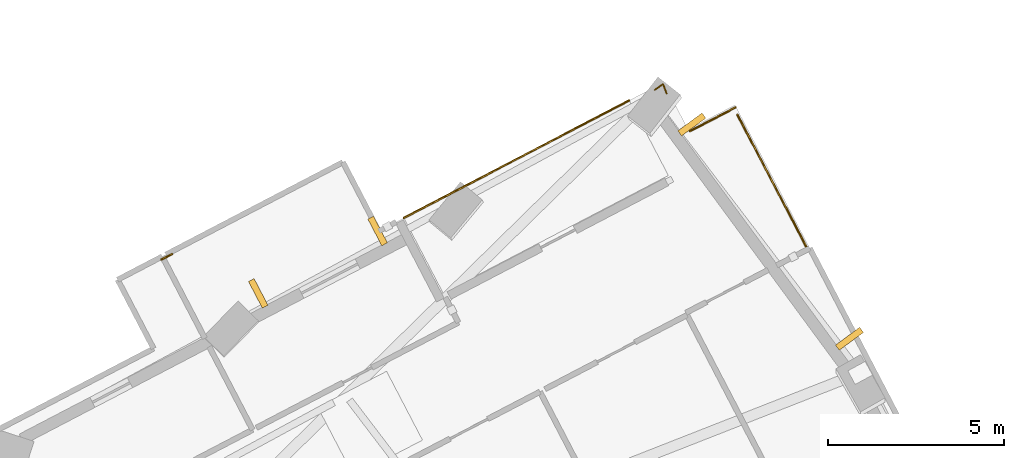
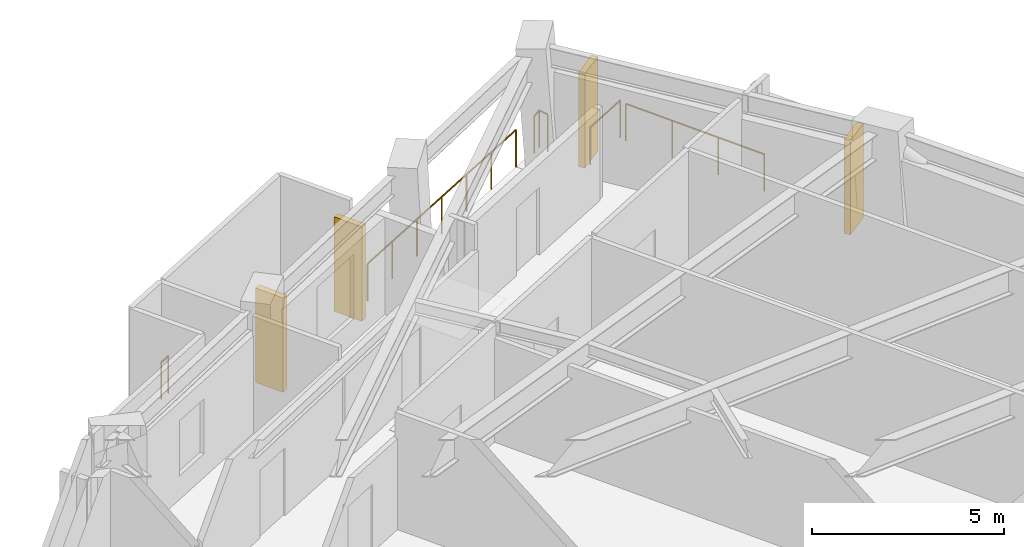
# One storey, part 16 of 16: 5 railings, 4 shading devices.
"""IFC4 building model written with IfcOpenShell, lengths in metres."""

import ifcopenshell
import ifcopenshell.guid

model = None  # the IFC model being written
_history = None  # IfcOwnerHistory: only IFC2X3 demands one
_inside = {}  # id of a spatial element -> (the spatial element, [elements in it])
_under = {}  # id of a project, library or spatial element -> (it, [spatial elements below it])
_declared = {}  # id of a project -> (the project, [libraries it declares])
_typed = {}  # id of a type object -> (the type object, [elements of that type])
_made_of = {}  # id of a material, layer set ... -> (it, [elements and type objects made of it])


def new_model(schema):
    """Start an empty IFC model of exactly this schema.

    Asked for "IFC4X3", IfcOpenShell would pick the latest addendum, in which some entities
    have other attributes; the version numbers below select the first issue.
    IFC2X3 requires an IfcOwnerHistory on every rooted entity: one is made here for all.
    """
    global model, _history
    if schema == "IFC4X3":
        model = ifcopenshell.file(schema_version=(4, 3, 0, 0))
    else:
        model = ifcopenshell.file(schema=schema)
    _inside.clear()
    _under.clear()
    _declared.clear()
    _typed.clear()
    _made_of.clear()
    _history = None
    if model.schema == "IFC2X3":
        org = make("IfcOrganization", Name="unknown")
        user = make(
            "IfcPersonAndOrganization",
            ThePerson=make("IfcPerson", FamilyName="unknown"),
            TheOrganization=org,
        )
        app = make(
            "IfcApplication",
            ApplicationDeveloper=org,
            Version="unknown",
            ApplicationFullName="unknown",
            ApplicationIdentifier="unknown",
        )
        _history = make(
            "IfcOwnerHistory",
            OwningUser=user,
            OwningApplication=app,
            ChangeAction="ADDED",
            CreationDate=0,
        )
    return model


def make(cls, **values):
    """One entity of the class cls with the attributes given. An attribute that is None is left unset."""
    return model.create_entity(
        cls, **{name: value for name, value in values.items() if value is not None}
    )


def rooted(cls, **values):
    """An entity with a GlobalId (a new one), such as an element, a storey or a relation."""
    return make(cls, GlobalId=ifcopenshell.guid.new(), OwnerHistory=_history, **values)


def si_unit(unit_type, name, prefix=None):
    """IfcSIUnit, for example si_unit("LENGTHUNIT", "METRE", prefix="MILLI")."""
    return make("IfcSIUnit", UnitType=unit_type, Prefix=prefix, Name=name)


def assignment(units):
    """IfcUnitAssignment: the units of a project."""
    return None if units is None else make("IfcUnitAssignment", Units=units)


def point(xyz):
    """IfcCartesianPoint."""
    return None if xyz is None else make("IfcCartesianPoint", Coordinates=xyz)


def direction(xyz):
    """IfcDirection."""
    return None if xyz is None else make("IfcDirection", DirectionRatios=xyz)


def frame(location, z_axis=None, x_axis=None):
    """IfcAxis2Placement3D, a coordinate frame: its origin and axes. An axis left out is left unset."""
    return make(
        "IfcAxis2Placement3D",
        Location=point(location),
        Axis=direction(z_axis),
        RefDirection=direction(x_axis),
    )


def frame_2d(location, x_axis=None):
    """IfcAxis2Placement2D, a coordinate frame in the plane: its origin and x axis."""
    return make(
        "IfcAxis2Placement2D", Location=point(location), RefDirection=direction(x_axis)
    )


def origin():
    """The frame at (0, 0, 0) with its axes left unset."""
    return frame((0.0, 0.0, 0.0))


def origin_2d():
    """The frame at (0, 0) in the plane with its x axis left unset."""
    return frame_2d((0.0, 0.0))


def place(relative_to, where):
    """IfcLocalPlacement: puts the frame where relative to a parent placement (None: the world)."""
    return make(
        "IfcLocalPlacement", PlacementRelTo=relative_to, RelativePlacement=where
    )


def context(
    kind, dimensions, precision=None, world=None, true_north=None, identifier=None
):
    """IfcGeometricRepresentationContext, for example the 3D "Model" context."""
    return make(
        "IfcGeometricRepresentationContext",
        ContextIdentifier=identifier,
        ContextType=kind,
        CoordinateSpaceDimension=dimensions,
        Precision=precision,
        WorldCoordinateSystem=world,
        TrueNorth=true_north,
    )


def subcontext(parent, identifier, kind, view, scale=None):
    """IfcGeometricRepresentationSubContext, for example "Body" below "Model"."""
    return make(
        "IfcGeometricRepresentationSubContext",
        ContextIdentifier=identifier,
        ContextType=kind,
        ParentContext=parent,
        TargetScale=scale,
        TargetView=view,
    )


def project(units=None, contexts=None):
    """IfcProject with its units and contexts."""
    return rooted(
        "IfcProject",
        Name="project",
        RepresentationContexts=contexts,
        UnitsInContext=assignment(units),
    )


def spatial(cls, under=None, at=None, **own):
    """A site, building, storey or space (cls), placed at a placement, below another one or the project."""
    s = rooted(cls, ObjectPlacement=at, **own)
    if under is not None:
        _under.setdefault(under.id(), (under, []))[1].append(s)
    return s


def profile(cls, at=None, kind="AREA", **sizes):
    """A parametric profile (cls). Its sizes go by their IFC names, for example OverallWidth=200.0."""
    return make(cls, ProfileType=kind, Position=at, **sizes)


def rectangle(**sizes):
    """IfcRectangleProfileDef."""
    return profile("IfcRectangleProfileDef", **sizes)


def circle(**sizes):
    """IfcCircleProfileDef."""
    return profile("IfcCircleProfileDef", **sizes)


def extrude(swept, where, along, depth):
    """IfcExtrudedAreaSolid: the profile swept, set in the frame where, extruded along a direction by depth."""
    return make(
        "IfcExtrudedAreaSolid",
        SweptArea=swept,
        Position=where,
        ExtrudedDirection=direction(along),
        Depth=depth,
    )


def shape(context_of_items, identifier, shape_type, items):
    """IfcShapeRepresentation: the items that make up one representation, for example the "Body"."""
    return make(
        "IfcShapeRepresentation",
        ContextOfItems=context_of_items,
        RepresentationIdentifier=identifier,
        RepresentationType=shape_type,
        Items=items,
    )


def material(Name=None, Category=None):
    """IfcMaterial."""
    return make("IfcMaterial", Name=Name, Category=Category)


def layer(
    of_material, thickness, ventilated=None, Name=None, Category=None, Priority=None
):
    """IfcMaterialLayer: one layer of a wall or slab, of a material (None: an air gap)."""
    return make(
        "IfcMaterialLayer",
        Material=of_material,
        LayerThickness=thickness,
        IsVentilated=ventilated,
        Name=Name,
        Category=Category,
        Priority=Priority,
    )


def layer_set(layers, Name=None):
    """IfcMaterialLayerSet."""
    return make("IfcMaterialLayerSet", MaterialLayers=layers, LayerSetName=Name)


def made_of(thing, what):
    """Note that an element or type object is made of a material, layer set ...; save() writes the relation."""
    if what is not None:
        _made_of.setdefault(what.id(), (what, []))[1].append(thing)
    return thing


def type_object(cls, material=None, **own):
    """A type object (cls), such as IfcWallType, which elements share."""
    return made_of(rooted(cls, **own), material)


def element(
    cls,
    number,
    at=None,
    inside=None,
    cuts=None,
    type_object=None,
    material=None,
    context=None,
    identifier="Body",
    shape_type=None,
    held_by="IfcProductDefinitionShape",
    body=None,
    shapes=None,
    **own,
):
    """One element of the class cls, such as IfcWall. Its Tag is "e" and its number.

    at: its placement. inside: the storey or other place that contains it. cuts: it is an
    opening in that element (IfcRelVoidsElement). A single representation is given by context,
    identifier, shape_type and body (its items); several are given by shapes. held_by: the class
    of the entity that holds the representations. save() writes the other relations.
    """
    e = rooted(cls, Tag="e%d" % number, ObjectPlacement=at, **own)
    if body is not None:
        shapes = [shape(context, identifier, shape_type, body)]
    if shapes is not None:
        e.Representation = make(held_by, Representations=shapes)
    if inside is not None:
        _inside.setdefault(inside.id(), (inside, []))[1].append(e)
    if cuts is not None:
        rooted(
            "IfcRelVoidsElement", RelatingBuildingElement=cuts, RelatedOpeningElement=e
        )
    if type_object is not None:
        _typed.setdefault(type_object.id(), (type_object, []))[1].append(e)
    return made_of(e, material)


def aggregate(whole, parts):
    """IfcRelAggregates: a whole, such as a stair, and the parts it consists of."""
    return rooted("IfcRelAggregates", RelatingObject=whole, RelatedObjects=parts)


def save(model, path):
    """Write the relations noted so far, then the file.

    IfcRelAggregates (storeys below a building ...), IfcRelContainedInSpatialStructure (elements
    in a storey), IfcRelDefinesByType, IfcRelAssociatesMaterial and IfcRelDeclares: one each for
    every whole, place, type object, material and project.
    """
    for whole, parts in _under.values():
        aggregate(whole, parts)
    for where, things in _inside.values():
        rooted(
            "IfcRelContainedInSpatialStructure",
            RelatedElements=things,
            RelatingStructure=where,
        )
    for kind, things in _typed.values():
        rooted("IfcRelDefinesByType", RelatedObjects=things, RelatingType=kind)
    for what, things in _made_of.values():
        rooted("IfcRelAssociatesMaterial", RelatedObjects=things, RelatingMaterial=what)
    for by, libraries in _declared.values():
        rooted("IfcRelDeclares", RelatingContext=by, RelatedDefinitions=libraries)
    model.write(path)


model = new_model("IFC4")

# Units and contexts
model_context = context("Model", 3, precision=1e-05, world=origin(), true_north=direction((0.0, 1.0)))
body_context = subcontext(model_context, "Body", "Model", "MODEL_VIEW")
ifc_project = project(units=[si_unit("LENGTHUNIT", "METRE"), si_unit("AREAUNIT", "SQUARE_METRE"), si_unit("VOLUMEUNIT", "CUBIC_METRE"), si_unit("PLANEANGLEUNIT", "RADIAN"), si_unit("MASSUNIT", "GRAM", prefix="KILO")], contexts=[model_context])

# Site, building, storey
site_placement = place(None, origin())
site = spatial("IfcSite", under=ifc_project, at=site_placement, CompositionType="ELEMENT")
building_placement = place(site_placement, origin())
building = spatial("IfcBuilding", under=site, at=building_placement, Name="Gaonmaruhae Medical Tower", CompositionType="ELEMENT")
storey_placement = place(building_placement, frame((0.0, 0.0, 140.39990234375)))
storey = spatial("IfcBuildingStorey", under=building, at=storey_placement, Name="L33", CompositionType="ELEMENT", Elevation=140.39990234375)

# Railings
ifc_material_1 = material(Name="Stainless steel 316L and laminated safety glass", Category="steel")
ifc_layer = layer(ifc_material_1, 0.080078125)
ifc_layer_set = layer_set([ifc_layer], Name="Stainless steel 316L and laminated safety glass")
railing_type = type_object("IfcRailingType", Name="GD-120 Outdoor Terrace Safety Glass & Steel Balustrade", PredefinedType="BALUSTRADE", material=ifc_layer_set)
railing_1_placement = place(storey_placement, frame((52.234130859375, 33.61865234375, 0.0)))
element("IfcRailing", 1, at=railing_1_placement, inside=storey, type_object=railing_type, Name="L33 Terrace Safety Guard RL-SLB-L33-TER-03", PredefinedType="BALUSTRADE", context=body_context, shape_type="SweptSolid", body=[
    extrude(circle(Radius=0.02392578125, at=origin_2d()), frame((0.0, 0.0, 1.17578125), z_axis=(-0.886611447682, -0.462515016881, 0.0), x_axis=(0.462515016881, -0.886611447682, 0.0)), (0.0, 0.0, 1.0), 7.199951171875),
    extrude(circle(Radius=0.02099609375, at=origin_2d()), origin(), (0.0, 0.0, 1.0), 1.15185546875),
    extrude(circle(Radius=0.02099609375, at=origin_2d()), frame((-1.06396484375, -0.554931640625, 0.0)), (0.0, 0.0, 1.0), 1.15185546875),
    extrude(circle(Radius=0.02099609375, at=origin_2d()), frame((-2.1279296875, -1.110107421875, 0.0)), (0.0, 0.0, 1.0), 1.15185546875),
    extrude(circle(Radius=0.02099609375, at=origin_2d()), frame((-3.19189453125, -1.6650390625, 0.0)), (0.0, 0.0, 1.0), 1.15185546875),
    extrude(circle(Radius=0.02099609375, at=origin_2d()), frame((-4.255615234375, -2.219970703125, 0.0)), (0.0, 0.0, 1.0), 1.15185546875),
    extrude(circle(Radius=0.02099609375, at=origin_2d()), frame((-5.319580078125, -2.775146484375, 0.0)), (0.0, 0.0, 1.0), 1.15185546875),
    extrude(circle(Radius=0.02099609375, at=origin_2d()), frame((-6.383544921875, -3.330078125, 0.0)), (0.0, 0.0, 1.0), 1.15185546875),
])
railing_2_placement = place(storey_placement, frame((53.953369140625, 32.74462890625, 0.0)))
element("IfcRailing", 2, at=railing_2_placement, inside=storey, type_object=railing_type, Name="L33 Perimeter Slab Edge Safety Balustrade 01", PredefinedType="BALUSTRADE", context=body_context, shape_type="SweptSolid", body=[
    extrude(circle(Radius=0.02392578125, at=origin_2d()), frame((0.0, 0.0, 1.17578125), z_axis=(0.886602735356, 0.462531717464, 0.0), x_axis=(-0.462531717464, 0.886602735356, 0.0)), (0.0, 0.0, 1.0), 1.4599609375),
    extrude(circle(Radius=0.02099609375, at=origin_2d()), origin(), (0.0, 0.0, 1.0), 1.15185546875),
    extrude(circle(Radius=0.02099609375, at=origin_2d()), frame((1.29443359375, 0.67529296875, 0.0)), (0.0, 0.0, 1.0), 1.15185546875),
])
railing_3_placement = place(storey_placement, frame((55.29931640625, 33.213134765625, 0.0)))
element("IfcRailing", 3, at=railing_3_placement, inside=storey, type_object=railing_type, Name="L33 Perimeter Slab Edge Safety Balustrade 02", PredefinedType="BALUSTRADE", context=body_context, shape_type="SweptSolid", body=[
    extrude(circle(Radius=0.02392578125, at=origin_2d()), frame((0.0, 0.0, 1.17578125), z_axis=(0.462526899339, -0.886605248906, 0.0), x_axis=(0.886605248906, 0.462526899339, 0.0)), (0.0, 0.0, 1.0), 4.26708984375),
    extrude(circle(Radius=0.02099609375, at=origin_2d()), origin(), (0.0, 0.0, 1.0), 1.15185546875),
    extrude(circle(Radius=0.02099609375, at=origin_2d()), frame((0.657958984375, -1.260986328125, 0.0)), (0.0, 0.0, 1.0), 1.15185546875),
    extrude(circle(Radius=0.02099609375, at=origin_2d()), frame((1.315673828125, -2.522216796875, 0.0)), (0.0, 0.0, 1.0), 1.15185546875),
    extrude(circle(Radius=0.02099609375, at=origin_2d()), frame((1.9736328125, -3.783203125, 0.0)), (0.0, 0.0, 1.0), 1.15185546875),
])
railing_4_placement = place(storey_placement, frame((38.978271484375, 29.10595703125, 0.0)))
element("IfcRailing", 4, at=railing_4_placement, inside=storey, type_object=railing_type, Name="L33 Perimeter Slab Edge Safety Balustrade 09", PredefinedType="BALUSTRADE", context=body_context, shape_type="SweptSolid", body=[
    extrude(circle(Radius=0.02392578125, at=origin_2d()), frame((0.0, 0.0, 1.17578125), z_axis=(0.886687238516, 0.462369701704, 0.0), x_axis=(-0.462369701704, 0.886687238516, 0.0)), (0.0, 0.0, 1.0), 0.340087890625),
    extrude(circle(Radius=0.02099609375, at=origin_2d()), origin(), (0.0, 0.0, 1.0), 1.15185546875),
    extrude(circle(Radius=0.02099609375, at=origin_2d()), frame((0.301513671875, 0.1572265625, 0.0)), (0.0, 0.0, 1.0), 1.15185546875),
])
railing_5_placement = place(storey_placement, frame((52.9580078125, 33.91748046875, 0.0)))
element("IfcRailing", 5, at=railing_5_placement, inside=storey, type_object=railing_type, Name="L33 Perimeter Corner Safety Balustrade 12", PredefinedType="BALUSTRADE", context=body_context, shape_type="SweptSolid", body=[
    extrude(circle(Radius=0.02392578125, at=origin_2d()), frame((0.0, 0.0, 1.17578125), z_axis=(0.823719349792, 0.566997736131, 0.0), x_axis=(-0.566997736131, 0.823719349792, 0.0)), (0.0, 0.0, 1.0), 0.287109375),
    extrude(circle(Radius=0.02392578125, at=origin_2d()), frame((0.236572265625, 0.162841796875, 1.17578125), z_axis=(0.350937193139, -0.936398999611, 0.0), x_axis=(0.936398999611, 0.350937193139, 0.0)), (0.0, 0.0, 1.0), 0.287353515625),
    extrude(circle(Radius=0.02099609375, at=origin_2d()), origin(), (0.0, 0.0, 1.0), 1.15185546875),
    extrude(circle(Radius=0.02099609375, at=origin_2d()), frame((0.236572265625, 0.162841796875, 0.0)), (0.0, 0.0, 1.0), 1.15185546875),
    extrude(circle(Radius=0.02099609375, at=origin_2d()), frame((0.33740234375, -0.106201171875, 0.0)), (0.0, 0.0, 1.0), 1.15185546875),
])

# Shading devices
ifc_material_2 = material(Name="Pigmented coral precast concrete C45/55", Category="concrete")
shading_device_type = type_object("IfcShadingDeviceType", Name="SD-FIN1 Tower Vertical Coral Precast Shading Fin", PredefinedType="USERDEFINED", material=ifc_material_2)
for number, where, z_axis, x_axis, name in (
    (6, (54.0078125, 32.936279296875, 0.04248046875), (0.0, 0.0, 1.0), (0.592575678566, -0.805514782715, 0.0), "L33 Vertical Coral Precast Shading Fin E02"),
    (7, (58.474609375, 26.86474609375, 0.04248046875), (0.0, 0.0, 1.0), (0.592575678566, -0.805514782715, 0.0), "L33 Vertical Coral Precast Shading Fin E02B"),
    (8, (41.723388671875, 28.15234375, 0.04248046875), (0.0, 0.0, 1.0), (0.8866075438, 0.462522500293, 0.0), "L33 Vertical Coral Precast Shading Fin EN01"),
    (9, (45.10791015625, 29.91796875, 0.04248046875), (0.0, 0.0, 1.0), (0.8866075438, 0.462522500293, 0.0), "L33 Vertical Coral Precast Shading Fin EN01B"),
):
    element("IfcShadingDevice", number, at=place(storey_placement, frame(where, z_axis=z_axis, x_axis=x_axis)), inside=storey, type_object=shading_device_type, Name=name, ObjectType="FIN", PredefinedType="USERDEFINED", context=body_context, shape_type="SweptSolid", body=[
        extrude(rectangle(XDim=0.179931640625, YDim=0.85009765625, at=origin_2d()), origin(), (0.0, 0.0, 1.0), 3.0),
    ])

save(model, "model.ifc")
